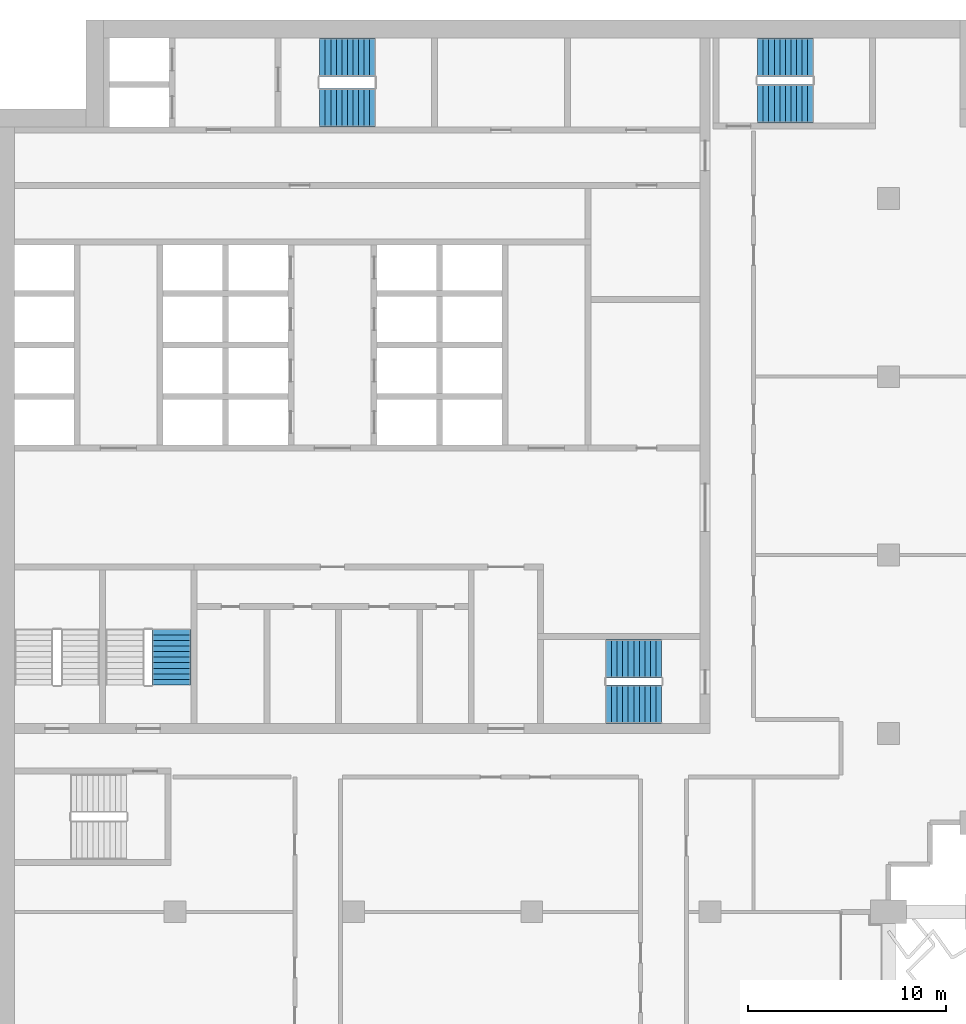
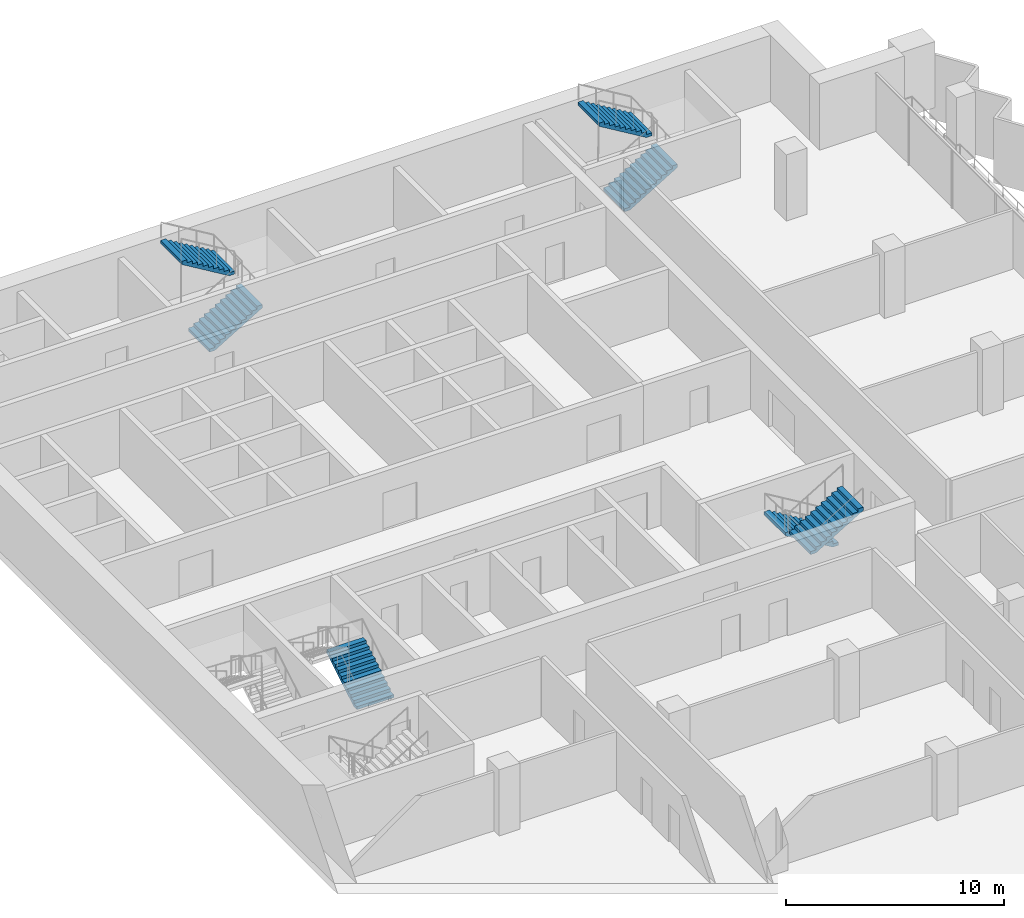
# One storey, part 13 of 17: 7 stair flights, 4 elements without a shape of their own.
"""IFC4 building model written with IfcOpenShell, lengths in metres."""

from ifc_helpers import new_model, si_unit, direction, frame, origin, place, context, subcontext, project, spatial, polyline, outline, extrude, material, type_object, element, aggregate, save


model = new_model("IFC4")

# Units and contexts
model_context = context("Model", 3, precision=1e-05, world=origin(), true_north=direction((0.0, 1.0)))
body_context = subcontext(model_context, "Body", "Model", "MODEL_VIEW")
ifc_project = project(units=[si_unit("LENGTHUNIT", "METRE"), si_unit("AREAUNIT", "SQUARE_METRE"), si_unit("VOLUMEUNIT", "CUBIC_METRE"), si_unit("PLANEANGLEUNIT", "RADIAN"), si_unit("MASSUNIT", "GRAM", prefix="KILO")], contexts=[model_context])

# Site, building, storey
site_placement = place(None, origin())
site = spatial("IfcSite", under=ifc_project, at=site_placement, CompositionType="ELEMENT")
building_placement = place(site_placement, origin())
building = spatial("IfcBuilding", under=site, at=building_placement, Name="Hunhe Ridgeline Campus", CompositionType="ELEMENT")
storey_placement = place(building_placement, frame((0.0, 0.0, 186.5)))
storey = spatial("IfcBuildingStorey", under=building, at=storey_placement, Name="L47", CompositionType="ELEMENT", Elevation=186.5)

# Stair, stair flights
ifc_material = material(Name="Concrete C40", Category="concrete")
stair_type = type_object("IfcStairType", Name="Reinforced concrete dog-leg stair 1950 Concrete C40", PredefinedType="HALF_TURN_STAIR", material=ifc_material)
stair_1_placement = place(storey_placement, origin())
stair_1 = element("IfcStair", 1, at=stair_1_placement, inside=storey, type_object=stair_type, Name="L47 S1", PredefinedType="HALF_TURN_STAIR")
stair_flight_type = type_object("IfcStairFlightType", Name="Reinforced concrete stair flight 1950 Concrete C40", PredefinedType="STRAIGHT", material=ifc_material)
stair_flight_1_placement = place(storey_placement, frame((16.300048828125, 94.574951171875, 0.0), z_axis=(0.0, 0.0, 1.0), x_axis=(1.0, 0.0, 0.0)))
stair_flight_1 = element("IfcStairFlight", 2, at=stair_flight_1_placement, type_object=stair_flight_type, Name="ST1 flight 1", NumberOfRisers=11, NumberOfTreads=10, PredefinedType="STRAIGHT", RiserHeight=0.168181818, TreadLength=0.28, context=body_context, shape_type="SweptSolid", body=[
    extrude(outline(polyline([(0.0, 0.0), (0.0, 0.168212890625), (0.280029296875, 0.168212890625), (0.280029296875, 0.33642578125), (0.56005859375, 0.33642578125), (0.56005859375, 0.504638671875), (0.840087890625, 0.504638671875), (0.840087890625, 0.672607421875), (1.1201171875, 0.672607421875), (1.1201171875, 0.8408203125), (1.39990234375, 0.8408203125), (1.39990234375, 1.009033203125), (1.679931640625, 1.009033203125), (1.679931640625, 1.17724609375), (1.9599609375, 1.17724609375), (1.9599609375, 1.345458984375), (2.239990234375, 1.345458984375), (2.239990234375, 1.513671875), (2.52001953125, 1.513671875), (2.52001953125, 1.681884765625), (2.800048828125, 1.681884765625), (2.800048828125, 1.85009765625), (2.800048828125, 1.5068359375), (0.291015625, 0.0), (0.0, 0.0)])), frame((0.0, 0.97509765625, 0.0), z_axis=(0.0, -1.0, 0.0), x_axis=(1.0, 0.0, 0.0)), (0.0, 0.0, 1.0), 1.949951171875),
    extrude(outline(polyline([(0.030029296875, 0.030029296875), (0.030029296875, 0.13818359375), (0.31005859375, 0.13818359375), (0.31005859375, 0.306396484375), (0.590087890625, 0.306396484375), (0.590087890625, 0.474609375), (0.8701171875, 0.474609375), (0.8701171875, 0.642578125), (1.14990234375, 0.642578125), (1.14990234375, 0.810791015625), (1.429931640625, 0.810791015625), (1.429931640625, 0.97900390625), (1.7099609375, 0.97900390625), (1.7099609375, 1.147216796875), (1.989990234375, 1.147216796875), (1.989990234375, 1.3154296875), (2.27001953125, 1.3154296875), (2.27001953125, 1.483642578125), (2.550048828125, 1.483642578125), (2.550048828125, 1.65185546875), (2.77001953125, 1.65185546875), (2.77001953125, 1.52392578125), (0.28271484375, 0.030029296875), (0.030029296875, 0.030029296875)])), frame((0.0, -0.070068359375, 0.0), z_axis=(0.0, -1.0, 0.0), x_axis=(1.0, 0.0, 0.0)), (0.0, 0.0, 1.0), 0.019775390625),
    extrude(outline(polyline([(0.030029296875, 0.030029296875), (0.030029296875, 0.13818359375), (0.31005859375, 0.13818359375), (0.31005859375, 0.306396484375), (0.590087890625, 0.306396484375), (0.590087890625, 0.474609375), (0.8701171875, 0.474609375), (0.8701171875, 0.642578125), (1.14990234375, 0.642578125), (1.14990234375, 0.810791015625), (1.429931640625, 0.810791015625), (1.429931640625, 0.97900390625), (1.7099609375, 0.97900390625), (1.7099609375, 1.147216796875), (1.989990234375, 1.147216796875), (1.989990234375, 1.3154296875), (2.27001953125, 1.3154296875), (2.27001953125, 1.483642578125), (2.550048828125, 1.483642578125), (2.550048828125, 1.65185546875), (2.77001953125, 1.65185546875), (2.77001953125, 1.52392578125), (0.28271484375, 0.030029296875), (0.030029296875, 0.030029296875)])), frame((0.0, 0.010009765625, 0.0), z_axis=(0.0, -1.0, 0.0), x_axis=(1.0, 0.0, 0.0)), (0.0, 0.0, 1.0), 0.019775390625),
    extrude(outline(polyline([(0.030029296875, 0.030029296875), (0.030029296875, 0.13818359375), (0.31005859375, 0.13818359375), (0.31005859375, 0.306396484375), (0.590087890625, 0.306396484375), (0.590087890625, 0.474609375), (0.8701171875, 0.474609375), (0.8701171875, 0.642578125), (1.14990234375, 0.642578125), (1.14990234375, 0.810791015625), (1.429931640625, 0.810791015625), (1.429931640625, 0.97900390625), (1.7099609375, 0.97900390625), (1.7099609375, 1.147216796875), (1.989990234375, 1.147216796875), (1.989990234375, 1.3154296875), (2.27001953125, 1.3154296875), (2.27001953125, 1.483642578125), (2.550048828125, 1.483642578125), (2.550048828125, 1.65185546875), (2.77001953125, 1.65185546875), (2.77001953125, 1.52392578125), (0.28271484375, 0.030029296875), (0.030029296875, 0.030029296875)])), frame((0.0, 0.090087890625, 0.0), z_axis=(0.0, -1.0, 0.0), x_axis=(1.0, 0.0, 0.0)), (0.0, 0.0, 1.0), 0.019775390625),
])
stair_flight_2_placement = place(storey_placement, frame((19.10009765625, 97.125, 1.85009765625), z_axis=(0.0, 0.0, 1.0), x_axis=(-1.0, 0.0, 0.0)))
stair_flight_2 = element("IfcStairFlight", 3, at=stair_flight_2_placement, type_object=stair_flight_type, Name="ST1 flight 2", NumberOfRisers=11, NumberOfTreads=10, PredefinedType="STRAIGHT", RiserHeight=0.168181818, TreadLength=0.28, context=body_context, shape_type="SweptSolid", body=[
    extrude(outline(polyline([(0.0, 0.0), (0.0, 0.168212890625), (0.280029296875, 0.168212890625), (0.280029296875, 0.33642578125), (0.56005859375, 0.33642578125), (0.56005859375, 0.504638671875), (0.840087890625, 0.504638671875), (0.840087890625, 0.672607421875), (1.1201171875, 0.672607421875), (1.1201171875, 0.8408203125), (1.39990234375, 0.8408203125), (1.39990234375, 1.009033203125), (1.679931640625, 1.009033203125), (1.679931640625, 1.17724609375), (1.9599609375, 1.17724609375), (1.9599609375, 1.345458984375), (2.239990234375, 1.345458984375), (2.239990234375, 1.513671875), (2.52001953125, 1.513671875), (2.52001953125, 1.681884765625), (2.800048828125, 1.681884765625), (2.800048828125, 1.85009765625), (2.800048828125, 1.5068359375), (0.291015625, 0.0), (0.0, 0.0)])), frame((0.0, 0.97509765625, 0.0), z_axis=(0.0, -1.0, 0.0), x_axis=(1.0, 0.0, 0.0)), (0.0, 0.0, 1.0), 1.949951171875),
    extrude(outline(polyline([(0.030029296875, 0.030029296875), (0.030029296875, 0.13818359375), (0.31005859375, 0.13818359375), (0.31005859375, 0.306396484375), (0.590087890625, 0.306396484375), (0.590087890625, 0.474609375), (0.8701171875, 0.474609375), (0.8701171875, 0.642578125), (1.14990234375, 0.642578125), (1.14990234375, 0.810791015625), (1.429931640625, 0.810791015625), (1.429931640625, 0.97900390625), (1.7099609375, 0.97900390625), (1.7099609375, 1.147216796875), (1.989990234375, 1.147216796875), (1.989990234375, 1.3154296875), (2.27001953125, 1.3154296875), (2.27001953125, 1.483642578125), (2.550048828125, 1.483642578125), (2.550048828125, 1.65185546875), (2.77001953125, 1.65185546875), (2.77001953125, 1.52392578125), (0.28271484375, 0.030029296875), (0.030029296875, 0.030029296875)])), frame((0.0, -0.070068359375, 0.0), z_axis=(0.0, -1.0, 0.0), x_axis=(1.0, 0.0, 0.0)), (0.0, 0.0, 1.0), 0.019775390625),
    extrude(outline(polyline([(0.030029296875, 0.030029296875), (0.030029296875, 0.13818359375), (0.31005859375, 0.13818359375), (0.31005859375, 0.306396484375), (0.590087890625, 0.306396484375), (0.590087890625, 0.474609375), (0.8701171875, 0.474609375), (0.8701171875, 0.642578125), (1.14990234375, 0.642578125), (1.14990234375, 0.810791015625), (1.429931640625, 0.810791015625), (1.429931640625, 0.97900390625), (1.7099609375, 0.97900390625), (1.7099609375, 1.147216796875), (1.989990234375, 1.147216796875), (1.989990234375, 1.3154296875), (2.27001953125, 1.3154296875), (2.27001953125, 1.483642578125), (2.550048828125, 1.483642578125), (2.550048828125, 1.65185546875), (2.77001953125, 1.65185546875), (2.77001953125, 1.52392578125), (0.28271484375, 0.030029296875), (0.030029296875, 0.030029296875)])), frame((0.0, 0.010009765625, 0.0), z_axis=(0.0, -1.0, 0.0), x_axis=(1.0, 0.0, 0.0)), (0.0, 0.0, 1.0), 0.019775390625),
    extrude(outline(polyline([(0.030029296875, 0.030029296875), (0.030029296875, 0.13818359375), (0.31005859375, 0.13818359375), (0.31005859375, 0.306396484375), (0.590087890625, 0.306396484375), (0.590087890625, 0.474609375), (0.8701171875, 0.474609375), (0.8701171875, 0.642578125), (1.14990234375, 0.642578125), (1.14990234375, 0.810791015625), (1.429931640625, 0.810791015625), (1.429931640625, 0.97900390625), (1.7099609375, 0.97900390625), (1.7099609375, 1.147216796875), (1.989990234375, 1.147216796875), (1.989990234375, 1.3154296875), (2.27001953125, 1.3154296875), (2.27001953125, 1.483642578125), (2.550048828125, 1.483642578125), (2.550048828125, 1.65185546875), (2.77001953125, 1.65185546875), (2.77001953125, 1.52392578125), (0.28271484375, 0.030029296875), (0.030029296875, 0.030029296875)])), frame((0.0, 0.090087890625, 0.0), z_axis=(0.0, -1.0, 0.0), x_axis=(1.0, 0.0, 0.0)), (0.0, 0.0, 1.0), 0.019775390625),
])
aggregate(stair_1, [stair_flight_1, stair_flight_2])

stair_2_placement = place(storey_placement, origin())
stair_2 = element("IfcStair", 4, at=stair_2_placement, inside=storey, type_object=stair_type, Name="L47 S2", PredefinedType="HALF_TURN_STAIR")
stair_flight_3_placement = place(storey_placement, frame((33.550048828125, 66.77490234375, 0.0), z_axis=(0.0, 0.0, 1.0), x_axis=(-1.0, 0.0, 0.0)))
stair_flight_3 = element("IfcStairFlight", 5, at=stair_flight_3_placement, type_object=stair_flight_type, Name="ST2 flight 1", NumberOfRisers=11, NumberOfTreads=10, PredefinedType="STRAIGHT", RiserHeight=0.168181818, TreadLength=0.28, context=body_context, shape_type="SweptSolid", body=[
    extrude(outline(polyline([(0.0, 0.0), (0.0, 0.168212890625), (0.280029296875, 0.168212890625), (0.280029296875, 0.33642578125), (0.56005859375, 0.33642578125), (0.56005859375, 0.504638671875), (0.840087890625, 0.504638671875), (0.840087890625, 0.672607421875), (1.1201171875, 0.672607421875), (1.1201171875, 0.8408203125), (1.39990234375, 0.8408203125), (1.39990234375, 1.009033203125), (1.679931640625, 1.009033203125), (1.679931640625, 1.17724609375), (1.9599609375, 1.17724609375), (1.9599609375, 1.345458984375), (2.239990234375, 1.345458984375), (2.239990234375, 1.513671875), (2.52001953125, 1.513671875), (2.52001953125, 1.681884765625), (2.800048828125, 1.681884765625), (2.800048828125, 1.85009765625), (2.800048828125, 1.5068359375), (0.291015625, 0.0), (0.0, 0.0)])), frame((0.0, 0.97509765625, 0.0), z_axis=(0.0, -1.0, 0.0), x_axis=(1.0, 0.0, 0.0)), (0.0, 0.0, 1.0), 1.949951171875),
    extrude(outline(polyline([(0.030029296875, 0.030029296875), (0.030029296875, 0.13818359375), (0.31005859375, 0.13818359375), (0.31005859375, 0.306396484375), (0.590087890625, 0.306396484375), (0.590087890625, 0.474609375), (0.8701171875, 0.474609375), (0.8701171875, 0.642578125), (1.14990234375, 0.642578125), (1.14990234375, 0.810791015625), (1.429931640625, 0.810791015625), (1.429931640625, 0.97900390625), (1.7099609375, 0.97900390625), (1.7099609375, 1.147216796875), (1.989990234375, 1.147216796875), (1.989990234375, 1.3154296875), (2.27001953125, 1.3154296875), (2.27001953125, 1.483642578125), (2.550048828125, 1.483642578125), (2.550048828125, 1.65185546875), (2.77001953125, 1.65185546875), (2.77001953125, 1.52392578125), (0.28271484375, 0.030029296875), (0.030029296875, 0.030029296875)])), frame((0.0, -0.070068359375, 0.0), z_axis=(0.0, -1.0, 0.0), x_axis=(1.0, 0.0, 0.0)), (0.0, 0.0, 1.0), 0.019775390625),
    extrude(outline(polyline([(0.030029296875, 0.030029296875), (0.030029296875, 0.13818359375), (0.31005859375, 0.13818359375), (0.31005859375, 0.306396484375), (0.590087890625, 0.306396484375), (0.590087890625, 0.474609375), (0.8701171875, 0.474609375), (0.8701171875, 0.642578125), (1.14990234375, 0.642578125), (1.14990234375, 0.810791015625), (1.429931640625, 0.810791015625), (1.429931640625, 0.97900390625), (1.7099609375, 0.97900390625), (1.7099609375, 1.147216796875), (1.989990234375, 1.147216796875), (1.989990234375, 1.3154296875), (2.27001953125, 1.3154296875), (2.27001953125, 1.483642578125), (2.550048828125, 1.483642578125), (2.550048828125, 1.65185546875), (2.77001953125, 1.65185546875), (2.77001953125, 1.52392578125), (0.28271484375, 0.030029296875), (0.030029296875, 0.030029296875)])), frame((0.0, 0.010009765625, 0.0), z_axis=(0.0, -1.0, 0.0), x_axis=(1.0, 0.0, 0.0)), (0.0, 0.0, 1.0), 0.019775390625),
    extrude(outline(polyline([(0.030029296875, 0.030029296875), (0.030029296875, 0.13818359375), (0.31005859375, 0.13818359375), (0.31005859375, 0.306396484375), (0.590087890625, 0.306396484375), (0.590087890625, 0.474609375), (0.8701171875, 0.474609375), (0.8701171875, 0.642578125), (1.14990234375, 0.642578125), (1.14990234375, 0.810791015625), (1.429931640625, 0.810791015625), (1.429931640625, 0.97900390625), (1.7099609375, 0.97900390625), (1.7099609375, 1.147216796875), (1.989990234375, 1.147216796875), (1.989990234375, 1.3154296875), (2.27001953125, 1.3154296875), (2.27001953125, 1.483642578125), (2.550048828125, 1.483642578125), (2.550048828125, 1.65185546875), (2.77001953125, 1.65185546875), (2.77001953125, 1.52392578125), (0.28271484375, 0.030029296875), (0.030029296875, 0.030029296875)])), frame((0.0, 0.090087890625, 0.0), z_axis=(0.0, -1.0, 0.0), x_axis=(1.0, 0.0, 0.0)), (0.0, 0.0, 1.0), 0.019775390625),
])
stair_flight_4_placement = place(storey_placement, frame((30.75, 64.47509765625, 1.85009765625), z_axis=(0.0, 0.0, 1.0), x_axis=(1.0, 0.0, 0.0)))
stair_flight_4 = element("IfcStairFlight", 6, at=stair_flight_4_placement, type_object=stair_flight_type, Name="ST2 flight 2", NumberOfRisers=11, NumberOfTreads=10, PredefinedType="STRAIGHT", RiserHeight=0.168181818, TreadLength=0.28, context=body_context, shape_type="SweptSolid", body=[
    extrude(outline(polyline([(0.0, 0.0), (0.0, 0.168212890625), (0.280029296875, 0.168212890625), (0.280029296875, 0.33642578125), (0.56005859375, 0.33642578125), (0.56005859375, 0.504638671875), (0.840087890625, 0.504638671875), (0.840087890625, 0.672607421875), (1.1201171875, 0.672607421875), (1.1201171875, 0.8408203125), (1.39990234375, 0.8408203125), (1.39990234375, 1.009033203125), (1.679931640625, 1.009033203125), (1.679931640625, 1.17724609375), (1.9599609375, 1.17724609375), (1.9599609375, 1.345458984375), (2.239990234375, 1.345458984375), (2.239990234375, 1.513671875), (2.52001953125, 1.513671875), (2.52001953125, 1.681884765625), (2.800048828125, 1.681884765625), (2.800048828125, 1.85009765625), (2.800048828125, 1.5068359375), (0.291015625, 0.0), (0.0, 0.0)])), frame((0.0, 0.97509765625, 0.0), z_axis=(0.0, -1.0, 0.0), x_axis=(1.0, 0.0, 0.0)), (0.0, 0.0, 1.0), 1.949951171875),
    extrude(outline(polyline([(0.030029296875, 0.030029296875), (0.030029296875, 0.13818359375), (0.31005859375, 0.13818359375), (0.31005859375, 0.306396484375), (0.590087890625, 0.306396484375), (0.590087890625, 0.474609375), (0.8701171875, 0.474609375), (0.8701171875, 0.642578125), (1.14990234375, 0.642578125), (1.14990234375, 0.810791015625), (1.429931640625, 0.810791015625), (1.429931640625, 0.97900390625), (1.7099609375, 0.97900390625), (1.7099609375, 1.147216796875), (1.989990234375, 1.147216796875), (1.989990234375, 1.3154296875), (2.27001953125, 1.3154296875), (2.27001953125, 1.483642578125), (2.550048828125, 1.483642578125), (2.550048828125, 1.65185546875), (2.77001953125, 1.65185546875), (2.77001953125, 1.52392578125), (0.28271484375, 0.030029296875), (0.030029296875, 0.030029296875)])), frame((0.0, -0.070068359375, 0.0), z_axis=(0.0, -1.0, 0.0), x_axis=(1.0, 0.0, 0.0)), (0.0, 0.0, 1.0), 0.019775390625),
    extrude(outline(polyline([(0.030029296875, 0.030029296875), (0.030029296875, 0.13818359375), (0.31005859375, 0.13818359375), (0.31005859375, 0.306396484375), (0.590087890625, 0.306396484375), (0.590087890625, 0.474609375), (0.8701171875, 0.474609375), (0.8701171875, 0.642578125), (1.14990234375, 0.642578125), (1.14990234375, 0.810791015625), (1.429931640625, 0.810791015625), (1.429931640625, 0.97900390625), (1.7099609375, 0.97900390625), (1.7099609375, 1.147216796875), (1.989990234375, 1.147216796875), (1.989990234375, 1.3154296875), (2.27001953125, 1.3154296875), (2.27001953125, 1.483642578125), (2.550048828125, 1.483642578125), (2.550048828125, 1.65185546875), (2.77001953125, 1.65185546875), (2.77001953125, 1.52392578125), (0.28271484375, 0.030029296875), (0.030029296875, 0.030029296875)])), frame((0.0, 0.010009765625, 0.0), z_axis=(0.0, -1.0, 0.0), x_axis=(1.0, 0.0, 0.0)), (0.0, 0.0, 1.0), 0.019775390625),
    extrude(outline(polyline([(0.030029296875, 0.030029296875), (0.030029296875, 0.13818359375), (0.31005859375, 0.13818359375), (0.31005859375, 0.306396484375), (0.590087890625, 0.306396484375), (0.590087890625, 0.474609375), (0.8701171875, 0.474609375), (0.8701171875, 0.642578125), (1.14990234375, 0.642578125), (1.14990234375, 0.810791015625), (1.429931640625, 0.810791015625), (1.429931640625, 0.97900390625), (1.7099609375, 0.97900390625), (1.7099609375, 1.147216796875), (1.989990234375, 1.147216796875), (1.989990234375, 1.3154296875), (2.27001953125, 1.3154296875), (2.27001953125, 1.483642578125), (2.550048828125, 1.483642578125), (2.550048828125, 1.65185546875), (2.77001953125, 1.65185546875), (2.77001953125, 1.52392578125), (0.28271484375, 0.030029296875), (0.030029296875, 0.030029296875)])), frame((0.0, 0.090087890625, 0.0), z_axis=(0.0, -1.0, 0.0), x_axis=(1.0, 0.0, 0.0)), (0.0, 0.0, 1.0), 0.019775390625),
])
aggregate(stair_2, [stair_flight_3, stair_flight_4])

# Stair, stair flight
stair_3_placement = place(storey_placement, origin())
stair_3 = element("IfcStair", 7, at=stair_3_placement, inside=storey, type_object=stair_type, Name="L47 S4", PredefinedType="HALF_TURN_STAIR")
stair_flight_5_placement = place(storey_placement, frame((8.824951171875, 65.449951171875, 0.0), z_axis=(0.0, 0.0, 1.0), x_axis=(0.0, 1.0, 0.0)))
stair_flight_5 = element("IfcStairFlight", 8, at=stair_flight_5_placement, type_object=stair_flight_type, Name="ST4 flight 1", NumberOfRisers=11, NumberOfTreads=10, PredefinedType="STRAIGHT", RiserHeight=0.168181818, TreadLength=0.28, context=body_context, shape_type="SweptSolid", body=[
    extrude(outline(polyline([(0.0, 0.0), (0.0, 0.168212890625), (0.280029296875, 0.168212890625), (0.280029296875, 0.33642578125), (0.56005859375, 0.33642578125), (0.56005859375, 0.504638671875), (0.840087890625, 0.504638671875), (0.840087890625, 0.672607421875), (1.1201171875, 0.672607421875), (1.1201171875, 0.8408203125), (1.39990234375, 0.8408203125), (1.39990234375, 1.009033203125), (1.679931640625, 1.009033203125), (1.679931640625, 1.17724609375), (1.9599609375, 1.17724609375), (1.9599609375, 1.345458984375), (2.239990234375, 1.345458984375), (2.239990234375, 1.513671875), (2.52001953125, 1.513671875), (2.52001953125, 1.681884765625), (2.800048828125, 1.681884765625), (2.800048828125, 1.85009765625), (2.800048828125, 1.5068359375), (0.291015625, 0.0), (0.0, 0.0)])), frame((0.0, 0.97509765625, 0.0), z_axis=(0.0, -1.0, 0.0), x_axis=(1.0, 0.0, 0.0)), (0.0, 0.0, 1.0), 1.949951171875),
    extrude(outline(polyline([(0.030029296875, 0.030029296875), (0.030029296875, 0.13818359375), (0.31005859375, 0.13818359375), (0.31005859375, 0.306396484375), (0.590087890625, 0.306396484375), (0.590087890625, 0.474609375), (0.8701171875, 0.474609375), (0.8701171875, 0.642578125), (1.14990234375, 0.642578125), (1.14990234375, 0.810791015625), (1.429931640625, 0.810791015625), (1.429931640625, 0.97900390625), (1.7099609375, 0.97900390625), (1.7099609375, 1.147216796875), (1.989990234375, 1.147216796875), (1.989990234375, 1.3154296875), (2.27001953125, 1.3154296875), (2.27001953125, 1.483642578125), (2.550048828125, 1.483642578125), (2.550048828125, 1.65185546875), (2.77001953125, 1.65185546875), (2.77001953125, 1.52392578125), (0.28271484375, 0.030029296875), (0.030029296875, 0.030029296875)])), frame((0.0, -0.070068359375, 0.0), z_axis=(0.0, -1.0, 0.0), x_axis=(1.0, 0.0, 0.0)), (0.0, 0.0, 1.0), 0.019775390625),
    extrude(outline(polyline([(0.030029296875, 0.030029296875), (0.030029296875, 0.13818359375), (0.31005859375, 0.13818359375), (0.31005859375, 0.306396484375), (0.590087890625, 0.306396484375), (0.590087890625, 0.474609375), (0.8701171875, 0.474609375), (0.8701171875, 0.642578125), (1.14990234375, 0.642578125), (1.14990234375, 0.810791015625), (1.429931640625, 0.810791015625), (1.429931640625, 0.97900390625), (1.7099609375, 0.97900390625), (1.7099609375, 1.147216796875), (1.989990234375, 1.147216796875), (1.989990234375, 1.3154296875), (2.27001953125, 1.3154296875), (2.27001953125, 1.483642578125), (2.550048828125, 1.483642578125), (2.550048828125, 1.65185546875), (2.77001953125, 1.65185546875), (2.77001953125, 1.52392578125), (0.28271484375, 0.030029296875), (0.030029296875, 0.030029296875)])), frame((0.0, 0.010009765625, 0.0), z_axis=(0.0, -1.0, 0.0), x_axis=(1.0, 0.0, 0.0)), (0.0, 0.0, 1.0), 0.019775390625),
    extrude(outline(polyline([(0.030029296875, 0.030029296875), (0.030029296875, 0.13818359375), (0.31005859375, 0.13818359375), (0.31005859375, 0.306396484375), (0.590087890625, 0.306396484375), (0.590087890625, 0.474609375), (0.8701171875, 0.474609375), (0.8701171875, 0.642578125), (1.14990234375, 0.642578125), (1.14990234375, 0.810791015625), (1.429931640625, 0.810791015625), (1.429931640625, 0.97900390625), (1.7099609375, 0.97900390625), (1.7099609375, 1.147216796875), (1.989990234375, 1.147216796875), (1.989990234375, 1.3154296875), (2.27001953125, 1.3154296875), (2.27001953125, 1.483642578125), (2.550048828125, 1.483642578125), (2.550048828125, 1.65185546875), (2.77001953125, 1.65185546875), (2.77001953125, 1.52392578125), (0.28271484375, 0.030029296875), (0.030029296875, 0.030029296875)])), frame((0.0, 0.090087890625, 0.0), z_axis=(0.0, -1.0, 0.0), x_axis=(1.0, 0.0, 0.0)), (0.0, 0.0, 1.0), 0.019775390625),
])
aggregate(stair_3, [stair_flight_5])

# Stair, stair flights
stair_4_placement = place(storey_placement, origin())
stair_4 = element("IfcStair", 9, at=stair_4_placement, inside=storey, type_object=stair_type, Name="L47 E1", PredefinedType="HALF_TURN_STAIR")
stair_flight_6_placement = place(storey_placement, frame((38.39990234375, 94.77490234375, 0.0), z_axis=(0.0, 0.0, 1.0), x_axis=(1.0, 0.0, 0.0)))
stair_flight_6 = element("IfcStairFlight", 10, at=stair_flight_6_placement, type_object=stair_flight_type, Name="ST5 flight 1", NumberOfRisers=11, NumberOfTreads=10, PredefinedType="STRAIGHT", RiserHeight=0.168181818, TreadLength=0.28, context=body_context, shape_type="SweptSolid", body=[
    extrude(outline(polyline([(0.0, 0.0), (0.0, 0.168212890625), (0.280029296875, 0.168212890625), (0.280029296875, 0.33642578125), (0.56005859375, 0.33642578125), (0.56005859375, 0.504638671875), (0.840087890625, 0.504638671875), (0.840087890625, 0.672607421875), (1.1201171875, 0.672607421875), (1.1201171875, 0.8408203125), (1.39990234375, 0.8408203125), (1.39990234375, 1.009033203125), (1.679931640625, 1.009033203125), (1.679931640625, 1.17724609375), (1.9599609375, 1.17724609375), (1.9599609375, 1.345458984375), (2.239990234375, 1.345458984375), (2.239990234375, 1.513671875), (2.52001953125, 1.513671875), (2.52001953125, 1.681884765625), (2.800048828125, 1.681884765625), (2.800048828125, 1.85009765625), (2.800048828125, 1.5068359375), (0.291015625, 0.0), (0.0, 0.0)])), frame((0.0, 0.97509765625, 0.0), z_axis=(0.0, -1.0, 0.0), x_axis=(1.0, 0.0, 0.0)), (0.0, 0.0, 1.0), 1.949951171875),
    extrude(outline(polyline([(0.030029296875, 0.030029296875), (0.030029296875, 0.13818359375), (0.31005859375, 0.13818359375), (0.31005859375, 0.306396484375), (0.590087890625, 0.306396484375), (0.590087890625, 0.474609375), (0.8701171875, 0.474609375), (0.8701171875, 0.642578125), (1.14990234375, 0.642578125), (1.14990234375, 0.810791015625), (1.429931640625, 0.810791015625), (1.429931640625, 0.97900390625), (1.7099609375, 0.97900390625), (1.7099609375, 1.147216796875), (1.989990234375, 1.147216796875), (1.989990234375, 1.3154296875), (2.27001953125, 1.3154296875), (2.27001953125, 1.483642578125), (2.550048828125, 1.483642578125), (2.550048828125, 1.65185546875), (2.77001953125, 1.65185546875), (2.77001953125, 1.52392578125), (0.28271484375, 0.030029296875), (0.030029296875, 0.030029296875)])), frame((0.0, -0.070068359375, 0.0), z_axis=(0.0, -1.0, 0.0), x_axis=(1.0, 0.0, 0.0)), (0.0, 0.0, 1.0), 0.019775390625),
    extrude(outline(polyline([(0.030029296875, 0.030029296875), (0.030029296875, 0.13818359375), (0.31005859375, 0.13818359375), (0.31005859375, 0.306396484375), (0.590087890625, 0.306396484375), (0.590087890625, 0.474609375), (0.8701171875, 0.474609375), (0.8701171875, 0.642578125), (1.14990234375, 0.642578125), (1.14990234375, 0.810791015625), (1.429931640625, 0.810791015625), (1.429931640625, 0.97900390625), (1.7099609375, 0.97900390625), (1.7099609375, 1.147216796875), (1.989990234375, 1.147216796875), (1.989990234375, 1.3154296875), (2.27001953125, 1.3154296875), (2.27001953125, 1.483642578125), (2.550048828125, 1.483642578125), (2.550048828125, 1.65185546875), (2.77001953125, 1.65185546875), (2.77001953125, 1.52392578125), (0.28271484375, 0.030029296875), (0.030029296875, 0.030029296875)])), frame((0.0, 0.010009765625, 0.0), z_axis=(0.0, -1.0, 0.0), x_axis=(1.0, 0.0, 0.0)), (0.0, 0.0, 1.0), 0.019775390625),
    extrude(outline(polyline([(0.030029296875, 0.030029296875), (0.030029296875, 0.13818359375), (0.31005859375, 0.13818359375), (0.31005859375, 0.306396484375), (0.590087890625, 0.306396484375), (0.590087890625, 0.474609375), (0.8701171875, 0.474609375), (0.8701171875, 0.642578125), (1.14990234375, 0.642578125), (1.14990234375, 0.810791015625), (1.429931640625, 0.810791015625), (1.429931640625, 0.97900390625), (1.7099609375, 0.97900390625), (1.7099609375, 1.147216796875), (1.989990234375, 1.147216796875), (1.989990234375, 1.3154296875), (2.27001953125, 1.3154296875), (2.27001953125, 1.483642578125), (2.550048828125, 1.483642578125), (2.550048828125, 1.65185546875), (2.77001953125, 1.65185546875), (2.77001953125, 1.52392578125), (0.28271484375, 0.030029296875), (0.030029296875, 0.030029296875)])), frame((0.0, 0.090087890625, 0.0), z_axis=(0.0, -1.0, 0.0), x_axis=(1.0, 0.0, 0.0)), (0.0, 0.0, 1.0), 0.019775390625),
])
stair_flight_7_placement = place(storey_placement, frame((41.199951171875, 97.125, 1.85009765625), z_axis=(0.0, 0.0, 1.0), x_axis=(-1.0, 0.0, 0.0)))
stair_flight_7 = element("IfcStairFlight", 11, at=stair_flight_7_placement, type_object=stair_flight_type, Name="ST5 flight 2", NumberOfRisers=11, NumberOfTreads=10, PredefinedType="STRAIGHT", RiserHeight=0.168181818, TreadLength=0.28, context=body_context, shape_type="SweptSolid", body=[
    extrude(outline(polyline([(0.0, 0.0), (0.0, 0.168212890625), (0.280029296875, 0.168212890625), (0.280029296875, 0.33642578125), (0.56005859375, 0.33642578125), (0.56005859375, 0.504638671875), (0.840087890625, 0.504638671875), (0.840087890625, 0.672607421875), (1.1201171875, 0.672607421875), (1.1201171875, 0.8408203125), (1.39990234375, 0.8408203125), (1.39990234375, 1.009033203125), (1.679931640625, 1.009033203125), (1.679931640625, 1.17724609375), (1.9599609375, 1.17724609375), (1.9599609375, 1.345458984375), (2.239990234375, 1.345458984375), (2.239990234375, 1.513671875), (2.52001953125, 1.513671875), (2.52001953125, 1.681884765625), (2.800048828125, 1.681884765625), (2.800048828125, 1.85009765625), (2.800048828125, 1.5068359375), (0.291015625, 0.0), (0.0, 0.0)])), frame((0.0, 0.97509765625, 0.0), z_axis=(0.0, -1.0, 0.0), x_axis=(1.0, 0.0, 0.0)), (0.0, 0.0, 1.0), 1.949951171875),
    extrude(outline(polyline([(0.030029296875, 0.030029296875), (0.030029296875, 0.13818359375), (0.31005859375, 0.13818359375), (0.31005859375, 0.306396484375), (0.590087890625, 0.306396484375), (0.590087890625, 0.474609375), (0.8701171875, 0.474609375), (0.8701171875, 0.642578125), (1.14990234375, 0.642578125), (1.14990234375, 0.810791015625), (1.429931640625, 0.810791015625), (1.429931640625, 0.97900390625), (1.7099609375, 0.97900390625), (1.7099609375, 1.147216796875), (1.989990234375, 1.147216796875), (1.989990234375, 1.3154296875), (2.27001953125, 1.3154296875), (2.27001953125, 1.483642578125), (2.550048828125, 1.483642578125), (2.550048828125, 1.65185546875), (2.77001953125, 1.65185546875), (2.77001953125, 1.52392578125), (0.28271484375, 0.030029296875), (0.030029296875, 0.030029296875)])), frame((0.0, -0.070068359375, 0.0), z_axis=(0.0, -1.0, 0.0), x_axis=(1.0, 0.0, 0.0)), (0.0, 0.0, 1.0), 0.019775390625),
    extrude(outline(polyline([(0.030029296875, 0.030029296875), (0.030029296875, 0.13818359375), (0.31005859375, 0.13818359375), (0.31005859375, 0.306396484375), (0.590087890625, 0.306396484375), (0.590087890625, 0.474609375), (0.8701171875, 0.474609375), (0.8701171875, 0.642578125), (1.14990234375, 0.642578125), (1.14990234375, 0.810791015625), (1.429931640625, 0.810791015625), (1.429931640625, 0.97900390625), (1.7099609375, 0.97900390625), (1.7099609375, 1.147216796875), (1.989990234375, 1.147216796875), (1.989990234375, 1.3154296875), (2.27001953125, 1.3154296875), (2.27001953125, 1.483642578125), (2.550048828125, 1.483642578125), (2.550048828125, 1.65185546875), (2.77001953125, 1.65185546875), (2.77001953125, 1.52392578125), (0.28271484375, 0.030029296875), (0.030029296875, 0.030029296875)])), frame((0.0, 0.010009765625, 0.0), z_axis=(0.0, -1.0, 0.0), x_axis=(1.0, 0.0, 0.0)), (0.0, 0.0, 1.0), 0.019775390625),
    extrude(outline(polyline([(0.030029296875, 0.030029296875), (0.030029296875, 0.13818359375), (0.31005859375, 0.13818359375), (0.31005859375, 0.306396484375), (0.590087890625, 0.306396484375), (0.590087890625, 0.474609375), (0.8701171875, 0.474609375), (0.8701171875, 0.642578125), (1.14990234375, 0.642578125), (1.14990234375, 0.810791015625), (1.429931640625, 0.810791015625), (1.429931640625, 0.97900390625), (1.7099609375, 0.97900390625), (1.7099609375, 1.147216796875), (1.989990234375, 1.147216796875), (1.989990234375, 1.3154296875), (2.27001953125, 1.3154296875), (2.27001953125, 1.483642578125), (2.550048828125, 1.483642578125), (2.550048828125, 1.65185546875), (2.77001953125, 1.65185546875), (2.77001953125, 1.52392578125), (0.28271484375, 0.030029296875), (0.030029296875, 0.030029296875)])), frame((0.0, 0.090087890625, 0.0), z_axis=(0.0, -1.0, 0.0), x_axis=(1.0, 0.0, 0.0)), (0.0, 0.0, 1.0), 0.019775390625),
])
aggregate(stair_4, [stair_flight_6, stair_flight_7])

save(model, "model.ifc")
